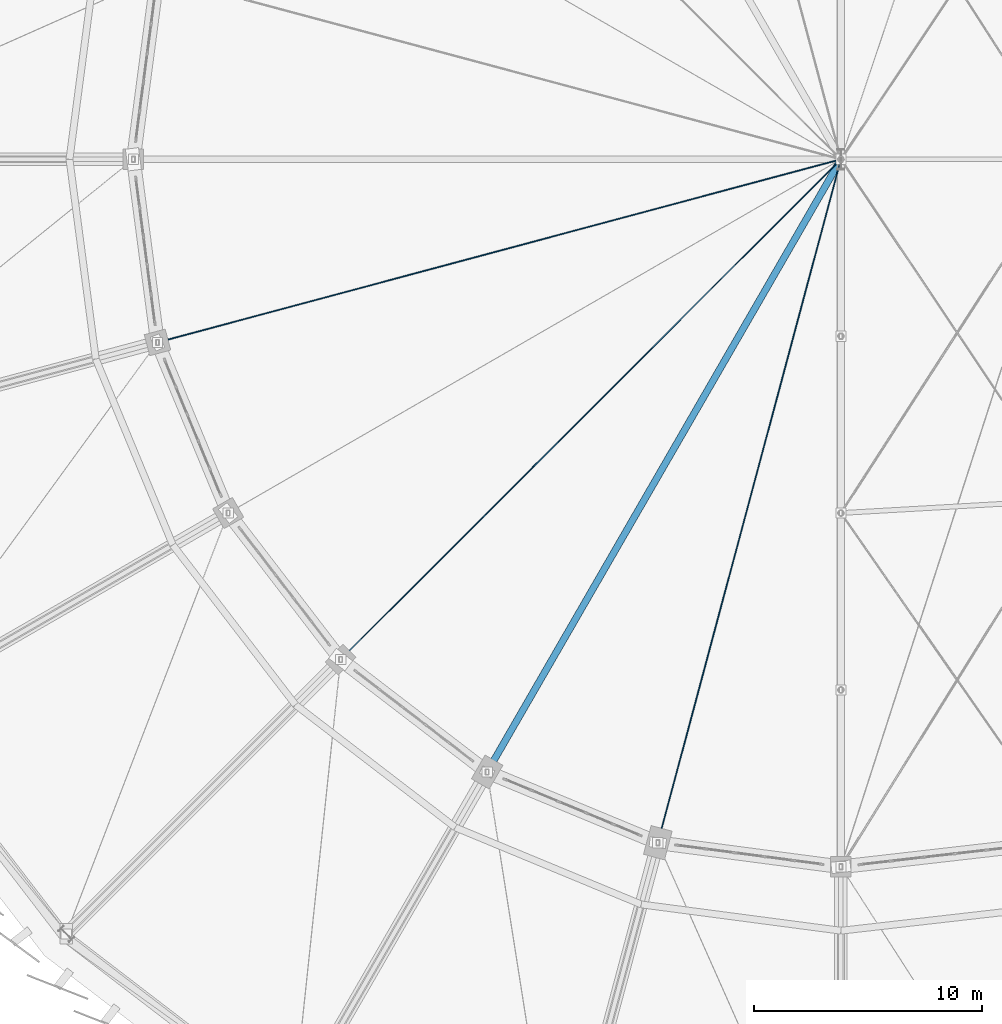
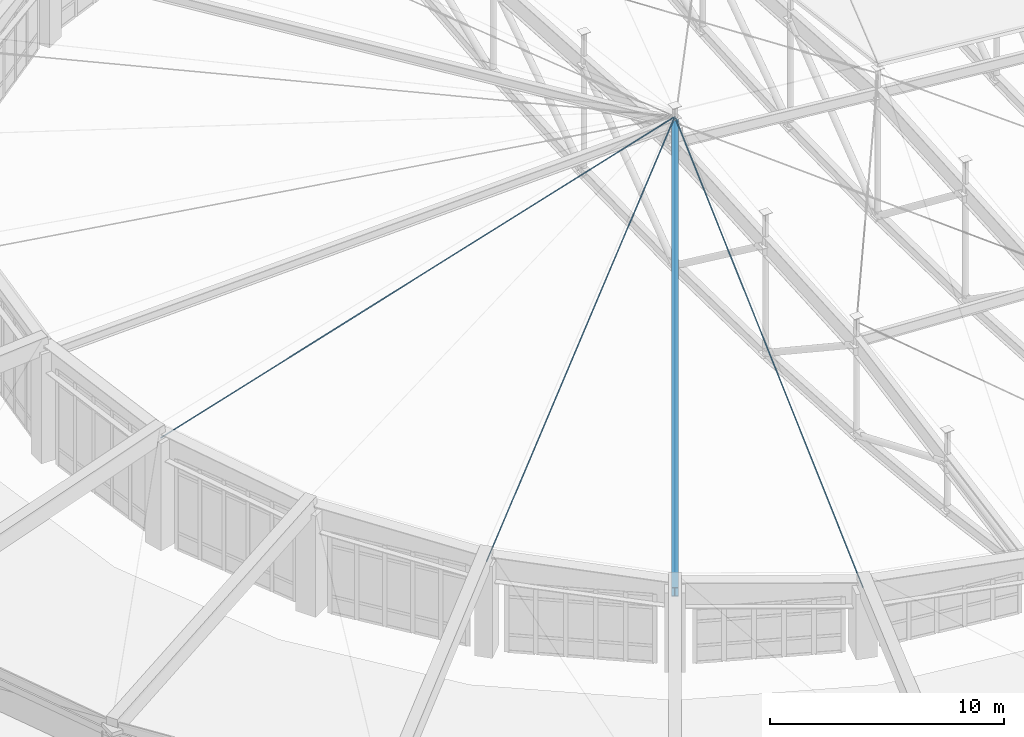
# One storey, part 16 of 68: 3 members, 1 beam.
"""IFC4 building model written with IfcOpenShell, lengths in metres."""

from ifc_helpers import new_model, si_unit, direction, frame, origin, origin_2d, place, context, subcontext, project, spatial, circle, i_section, extrude, material, material_profile, profile_set, type_object, element, save


model = new_model("IFC4")

# Units and contexts
model_context = context("Model", 3, precision=1e-05, world=origin(), true_north=direction((0.0, 1.0)))
body_context = subcontext(model_context, "Body", "Model", "MODEL_VIEW")
ifc_project = project(units=[si_unit("LENGTHUNIT", "METRE"), si_unit("AREAUNIT", "SQUARE_METRE"), si_unit("VOLUMEUNIT", "CUBIC_METRE"), si_unit("PLANEANGLEUNIT", "RADIAN"), si_unit("MASSUNIT", "GRAM", prefix="KILO")], contexts=[model_context])

# Site, building, storey
site_placement = place(None, origin())
site = spatial("IfcSite", under=ifc_project, at=site_placement, CompositionType="ELEMENT")
building_placement = place(site_placement, origin())
building = spatial("IfcBuilding", under=site, at=building_placement, Name="Sohan Crest Arena", CompositionType="ELEMENT")
storey_placement = place(building_placement, frame((0.0, 0.0, 27.0)))
storey = spatial("IfcBuildingStorey", under=building, at=storey_placement, Name="RF", CompositionType="ELEMENT", Elevation=27.0)

# Beam
ifc_material_1 = material(Name="Steel S355", Category="steel")
ifc_material_profile_1 = material_profile(ifc_material_1, i_section(OverallWidth=0.300048828125, OverallDepth=0.5, WebThickness=0.014404296875, FlangeThickness=0.028076171875, at=origin_2d()), Name="HEB 500")
ifc_profile_set_1 = profile_set([ifc_material_profile_1], Name="Steel S355")
beam_type = type_object("IfcBeamType", Name="STR-BM-B14", PredefinedType="BEAM", material=ifc_profile_set_1)
beam_placement = place(storey_placement, frame((82.5, 51.153076171875, 3.76806640625), z_axis=(0.498113801324, 0.862762792379, 0.086735258216), x_axis=(-0.866026503059, 0.499998095996, 0.0)))
element("IfcBeam", 1, at=beam_placement, inside=storey, type_object=beam_type, Name="Structural beam RP-RF-3169", PredefinedType="BEAM", context=body_context, shape_type="SweptSolid", body=[
    extrude(i_section(OverallWidth=0.300048828125, OverallDepth=0.5, WebThickness=0.014404296875, FlangeThickness=0.028076171875, at=origin_2d()), origin(), (0.0, 0.0, 1.0), 31.117431640625),
])

# Members
ifc_material_2 = material(Name="Steel S460", Category="steel")
ifc_material_profile_2 = material_profile(ifc_material_2, circle(Radius=0.02197265625, at=origin_2d()), Name="FLC D44")
ifc_profile_set_2 = profile_set([ifc_material_profile_2], Name="Steel S460")
member_type = type_object("IfcMemberType", Name="STR-MEM-CB03", PredefinedType="USERDEFINED", material=ifc_profile_set_2)
member_1_placement = place(storey_placement, frame((68.055908203125, 69.97705078125, 5.43896484375), z_axis=(0.964977441584, 0.258547330926, 0.044405122505), x_axis=(-0.258802612254, 0.965930229308, 0.0)))
element("IfcMember", 2, at=member_1_placement, inside=storey, type_object=member_type, Name="West prow radial locked-coil cable CB-060", ObjectType="CABLE", PredefinedType="USERDEFINED", context=body_context, shape_type="SweptSolid", body=[
    extrude(circle(Radius=0.02197265625, at=origin_2d()), origin(), (0.0, 0.0, 1.0), 31.03076171875),
])
member_2_placement = place(storey_placement, frame((76.080078125, 56.080078125, 4.626953125), z_axis=(0.705348897462, 0.705348897462, 0.070468898804), x_axis=(-0.707106781187, 0.707106781187, 0.0)))
element("IfcMember", 3, at=member_2_placement, inside=storey, type_object=member_type, Name="West prow radial locked-coil cable CB-061", ObjectType="CABLE", PredefinedType="USERDEFINED", context=body_context, shape_type="SweptSolid", body=[
    extrude(circle(Radius=0.02197265625, at=origin_2d()), origin(), (0.0, 0.0, 1.0), 31.07666015625),
])
member_3_placement = place(storey_placement, frame((89.97705078125, 48.055908203125, 3.258056640625), z_axis=(0.257113893588, 0.959627416542, 0.11405116021), x_axis=(-0.965930229308, 0.258802612254, 0.0)))
element("IfcMember", 4, at=member_3_placement, inside=storey, type_object=member_type, Name="West prow radial locked-coil cable CB-062", ObjectType="CABLE", PredefinedType="USERDEFINED", context=body_context, shape_type="SweptSolid", body=[
    extrude(circle(Radius=0.02197265625, at=origin_2d()), origin(), (0.0, 0.0, 1.0), 31.203857421875),
])

save(model, "model.ifc")
